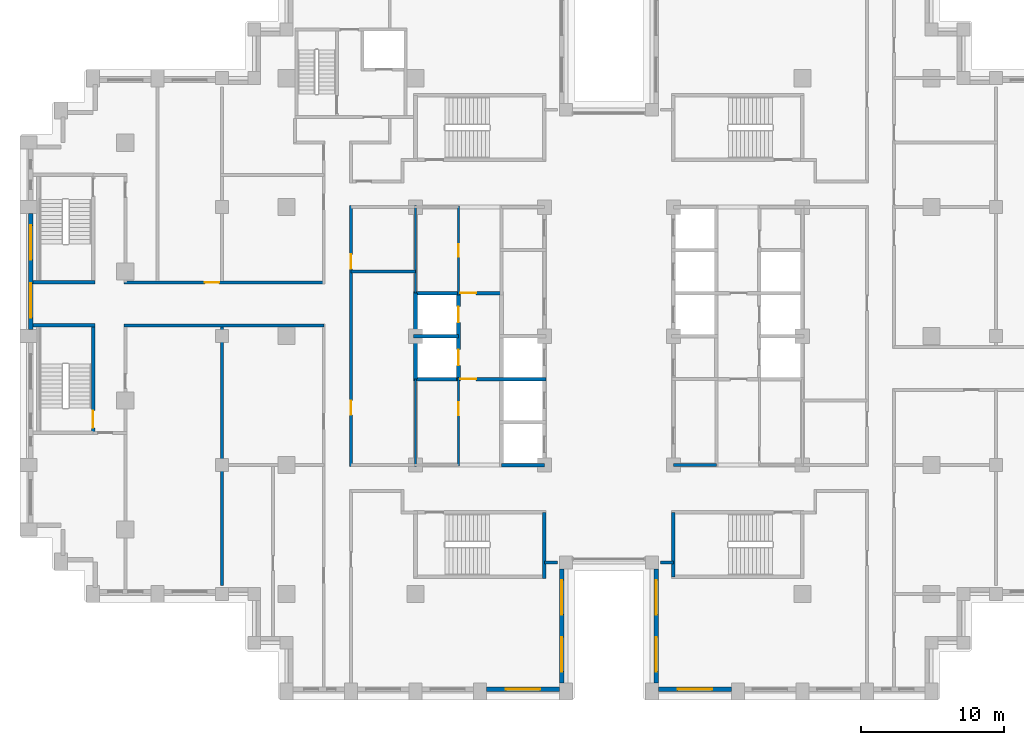
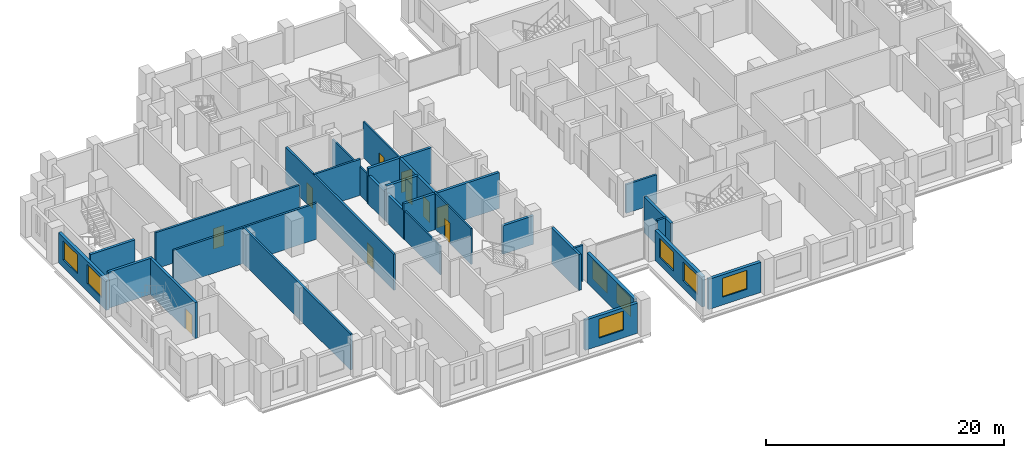
# One storey, part 7 of 15: 28 walls, 10 doors, 8 windows, 18 openings.
"""IFC4 building model written with IfcOpenShell, lengths in metres."""

from ifc_helpers import new_model, si_unit, direction, frame, frame_2d, origin, place, context, subcontext, project, spatial, rectangle, extrude, material, layer, layer_set, type_object, element, fill, save


model = new_model("IFC4")

# Units and contexts
model_context = context("Model", 3, precision=1e-05, world=origin(), true_north=direction((0.0, 1.0)))
body_context = subcontext(model_context, "Body", "Model", "MODEL_VIEW")
ifc_project = project(units=[si_unit("LENGTHUNIT", "METRE"), si_unit("AREAUNIT", "SQUARE_METRE"), si_unit("VOLUMEUNIT", "CUBIC_METRE"), si_unit("PLANEANGLEUNIT", "RADIAN"), si_unit("MASSUNIT", "GRAM", prefix="KILO")], contexts=[model_context])

# Site, building, storey
site_placement = place(None, origin())
site = spatial("IfcSite", under=ifc_project, at=site_placement, CompositionType="ELEMENT")
building_placement = place(site_placement, origin())
building = spatial("IfcBuilding", under=site, at=building_placement, Name="Corbelhall Arena Tower", CompositionType="ELEMENT")
storey_placement = place(building_placement, frame((0.0, 0.0, 96.0)))
storey = spatial("IfcBuildingStorey", under=building, at=storey_placement, Name="L16", CompositionType="ELEMENT", Elevation=96.0)

# Wall, openings, windows
ifc_material_1 = material(Name="Precast concrete C40/50 with granite facing", Category="masonry")
ifc_layer_1 = layer(ifc_material_1, 0.300048828125)
ifc_layer_set_1 = layer_set([ifc_layer_1], Name="EV-IW1 Infill panel 300")
wall_type_1 = type_object("IfcWallType", Name="EV-IW1 Infill panel 300", PredefinedType="SOLIDWALL", material=ifc_layer_set_1)
wall_1_placement = place(storey_placement, frame((-40.35009765625, 8.550048828125, 0.0), z_axis=(0.0, 0.0, 1.0), x_axis=(0.0, -1.0, 0.0)))
wall_1 = element("IfcWall", 1, at=wall_1_placement, inside=storey, type_object=wall_type_1, Name="Infill panel IW1", PredefinedType="SOLIDWALL", context=body_context, shape_type="SweptSolid", body=[
    extrude(rectangle(XDim=8.10009765625, YDim=0.300048828125, at=frame_2d((4.050048828125, 0.0))), origin(), (0.0, 0.0, 1.0), 3.10009765625),
])
opening_1_placement = place(wall_1_placement, frame((0.824951171875, 0.0, 0.800048828125)))
opening_1 = element("IfcOpeningElement", 2, at=opening_1_placement, cuts=wall_1, Name="Opening WN1", PredefinedType="OPENING", context=body_context, shape_type="SweptSolid", body=[
    extrude(rectangle(XDim=2.39990234375, YDim=1.949951171875, at=frame_2d((1.199951171875, 0.97509765625))), frame((0.0, 0.14990234375, 0.0), z_axis=(0.0, -1.0, 0.0), x_axis=(1.0, 0.0, 0.0)), (0.0, 0.0, 1.0), 0.300048828125),
])
opening_2_placement = place(wall_1_placement, frame((4.875, 0.0, 0.800048828125)))
opening_2 = element("IfcOpeningElement", 3, at=opening_2_placement, cuts=wall_1, Name="Opening WN1", PredefinedType="OPENING", context=body_context, shape_type="SweptSolid", body=[
    extrude(rectangle(XDim=2.39990234375, YDim=1.949951171875, at=frame_2d((1.199951171875, 0.97509765625))), frame((0.0, 0.14990234375, 0.0), z_axis=(0.0, -1.0, 0.0), x_axis=(1.0, 0.0, 0.0)), (0.0, 0.0, 1.0), 0.300048828125),
])
ifc_material_2 = material(Name="Aluminium black anodised", Category="aluminium")
window_type = type_object("IfcWindowType", Name="EV-WN1 Office window", PartitioningType="SINGLE_PANEL", PredefinedType="WINDOW", material=ifc_material_2)
window_1_placement = place(opening_1_placement, origin())
window_1 = element("IfcWindow", 4, at=window_1_placement, inside=storey, type_object=window_type, Name="Window WN1", OverallHeight=1.949951171875, OverallWidth=2.39990234375, PartitioningType="SINGLE_PANEL", PredefinedType="WINDOW", context=body_context, shape_type="SweptSolid", body=[
    extrude(rectangle(XDim=2.39990234375, YDim=1.949951171875, at=frame_2d((1.199951171875, 0.97509765625))), frame((0.0, 0.030029296875, 0.0), z_axis=(0.0, -1.0, 0.0), x_axis=(1.0, 0.0, 0.0)), (0.0, 0.0, 1.0), 0.06005859375),
])
fill(opening_1, window_1)
window_2_placement = place(opening_2_placement, origin())
window_2 = element("IfcWindow", 5, at=window_2_placement, inside=storey, type_object=window_type, Name="Window WN1", OverallHeight=1.949951171875, OverallWidth=2.39990234375, PartitioningType="SINGLE_PANEL", PredefinedType="WINDOW", context=body_context, shape_type="SweptSolid", body=[
    extrude(rectangle(XDim=2.39990234375, YDim=1.949951171875, at=frame_2d((1.199951171875, 0.97509765625))), frame((0.0, 0.030029296875, 0.0), z_axis=(0.0, -1.0, 0.0), x_axis=(1.0, 0.0, 0.0)), (0.0, 0.0, 1.0), 0.06005859375),
])
fill(opening_2, window_2)

# Wall, opening, window
wall_2_placement = place(storey_placement, frame((-8.550048828125, -24.64990234375, 0.0), z_axis=(0.0, 0.0, 1.0), x_axis=(1.0, 0.0, 0.0)))
wall_2 = element("IfcWall", 6, at=wall_2_placement, inside=storey, type_object=wall_type_1, Name="Infill panel IW1", PredefinedType="SOLIDWALL", context=body_context, shape_type="SweptSolid", body=[
    extrude(rectangle(XDim=5.10009765625, YDim=0.300048828125, at=frame_2d((2.550048828125, 0.0))), origin(), (0.0, 0.0, 1.0), 3.10009765625),
])
opening_3_placement = place(wall_2_placement, frame((1.35009765625, 0.0, 0.800048828125)))
opening_3 = element("IfcOpeningElement", 7, at=opening_3_placement, cuts=wall_2, Name="Opening WN1", PredefinedType="OPENING", context=body_context, shape_type="SweptSolid", body=[
    extrude(rectangle(XDim=2.39990234375, YDim=1.949951171875, at=frame_2d((1.199951171875, 0.97509765625))), frame((0.0, 0.14990234375, 0.0), z_axis=(0.0, -1.0, 0.0), x_axis=(1.0, 0.0, 0.0)), (0.0, 0.0, 1.0), 0.300048828125),
])
window_3_placement = place(opening_3_placement, origin())
window_3 = element("IfcWindow", 8, at=window_3_placement, inside=storey, type_object=window_type, Name="Window WN1", OverallHeight=1.949951171875, OverallWidth=2.39990234375, PartitioningType="SINGLE_PANEL", PredefinedType="WINDOW", context=body_context, shape_type="SweptSolid", body=[
    extrude(rectangle(XDim=2.39990234375, YDim=1.949951171875, at=frame_2d((1.199951171875, 0.97509765625))), frame((0.0, 0.030029296875, 0.0), z_axis=(0.0, -1.0, 0.0), x_axis=(1.0, 0.0, 0.0)), (0.0, 0.0, 1.0), 0.06005859375),
])
fill(opening_3, window_3)

# Wall, openings, windows
wall_3_placement = place(storey_placement, frame((-3.300048828125, -24.199951171875, 0.0), z_axis=(0.0, 0.0, 1.0), x_axis=(0.0, 1.0, 0.0)))
wall_3 = element("IfcWall", 9, at=wall_3_placement, inside=storey, type_object=wall_type_1, Name="Infill panel IW1", PredefinedType="SOLIDWALL", context=body_context, shape_type="SweptSolid", body=[
    extrude(rectangle(XDim=7.949951171875, YDim=0.300048828125, at=frame_2d((3.97509765625, 0.0))), origin(), (0.0, 0.0, 1.0), 3.10009765625),
])
opening_4_placement = place(wall_3_placement, frame((0.78759765625, 0.0, 0.800048828125)))
opening_4 = element("IfcOpeningElement", 10, at=opening_4_placement, cuts=wall_3, Name="Opening WN1", PredefinedType="OPENING", context=body_context, shape_type="SweptSolid", body=[
    extrude(rectangle(XDim=2.39990234375, YDim=1.949951171875, at=frame_2d((1.199951171875, 0.97509765625))), frame((0.0, 0.14990234375, 0.0), z_axis=(0.0, -1.0, 0.0), x_axis=(1.0, 0.0, 0.0)), (0.0, 0.0, 1.0), 0.300048828125),
])
opening_5_placement = place(wall_3_placement, frame((4.762451171875, 0.0, 0.800048828125)))
opening_5 = element("IfcOpeningElement", 11, at=opening_5_placement, cuts=wall_3, Name="Opening WN1", PredefinedType="OPENING", context=body_context, shape_type="SweptSolid", body=[
    extrude(rectangle(XDim=2.39990234375, YDim=1.949951171875, at=frame_2d((1.199951171875, 0.97509765625))), frame((0.0, 0.14990234375, 0.0), z_axis=(0.0, -1.0, 0.0), x_axis=(1.0, 0.0, 0.0)), (0.0, 0.0, 1.0), 0.300048828125),
])
window_4_placement = place(opening_4_placement, origin())
window_4 = element("IfcWindow", 12, at=window_4_placement, inside=storey, type_object=window_type, Name="Window WN1", OverallHeight=1.949951171875, OverallWidth=2.39990234375, PartitioningType="SINGLE_PANEL", PredefinedType="WINDOW", context=body_context, shape_type="SweptSolid", body=[
    extrude(rectangle(XDim=2.39990234375, YDim=1.949951171875, at=frame_2d((1.199951171875, 0.97509765625))), frame((0.0, 0.030029296875, 0.0), z_axis=(0.0, -1.0, 0.0), x_axis=(1.0, 0.0, 0.0)), (0.0, 0.0, 1.0), 0.06005859375),
])
fill(opening_4, window_4)
window_5_placement = place(opening_5_placement, origin())
window_5 = element("IfcWindow", 13, at=window_5_placement, inside=storey, type_object=window_type, Name="Window WN1", OverallHeight=1.949951171875, OverallWidth=2.39990234375, PartitioningType="SINGLE_PANEL", PredefinedType="WINDOW", context=body_context, shape_type="SweptSolid", body=[
    extrude(rectangle(XDim=2.39990234375, YDim=1.949951171875, at=frame_2d((1.199951171875, 0.97509765625))), frame((0.0, 0.030029296875, 0.0), z_axis=(0.0, -1.0, 0.0), x_axis=(1.0, 0.0, 0.0)), (0.0, 0.0, 1.0), 0.06005859375),
])
fill(opening_5, window_5)

wall_4_placement = place(storey_placement, frame((3.300048828125, -16.25, 0.0), z_axis=(0.0, 0.0, 1.0), x_axis=(0.0, -1.0, 0.0)))
wall_4 = element("IfcWall", 14, at=wall_4_placement, inside=storey, type_object=wall_type_1, Name="Infill panel IW1", PredefinedType="SOLIDWALL", context=body_context, shape_type="SweptSolid", body=[
    extrude(rectangle(XDim=7.949951171875, YDim=0.300048828125, at=frame_2d((3.97509765625, 0.0))), origin(), (0.0, 0.0, 1.0), 3.10009765625),
])
opening_6_placement = place(wall_4_placement, frame((0.78759765625, 0.0, 0.800048828125)))
opening_6 = element("IfcOpeningElement", 15, at=opening_6_placement, cuts=wall_4, Name="Opening WN1", PredefinedType="OPENING", context=body_context, shape_type="SweptSolid", body=[
    extrude(rectangle(XDim=2.39990234375, YDim=1.949951171875, at=frame_2d((1.199951171875, 0.97509765625))), frame((0.0, 0.14990234375, 0.0), z_axis=(0.0, -1.0, 0.0), x_axis=(1.0, 0.0, 0.0)), (0.0, 0.0, 1.0), 0.300048828125),
])
opening_7_placement = place(wall_4_placement, frame((4.762451171875, 0.0, 0.800048828125)))
opening_7 = element("IfcOpeningElement", 16, at=opening_7_placement, cuts=wall_4, Name="Opening WN1", PredefinedType="OPENING", context=body_context, shape_type="SweptSolid", body=[
    extrude(rectangle(XDim=2.39990234375, YDim=1.949951171875, at=frame_2d((1.199951171875, 0.97509765625))), frame((0.0, 0.14990234375, 0.0), z_axis=(0.0, -1.0, 0.0), x_axis=(1.0, 0.0, 0.0)), (0.0, 0.0, 1.0), 0.300048828125),
])
window_6_placement = place(opening_6_placement, origin())
window_6 = element("IfcWindow", 17, at=window_6_placement, inside=storey, type_object=window_type, Name="Window WN1", OverallHeight=1.949951171875, OverallWidth=2.39990234375, PartitioningType="SINGLE_PANEL", PredefinedType="WINDOW", context=body_context, shape_type="SweptSolid", body=[
    extrude(rectangle(XDim=2.39990234375, YDim=1.949951171875, at=frame_2d((1.199951171875, 0.97509765625))), frame((0.0, 0.030029296875, 0.0), z_axis=(0.0, -1.0, 0.0), x_axis=(1.0, 0.0, 0.0)), (0.0, 0.0, 1.0), 0.06005859375),
])
fill(opening_6, window_6)
window_7_placement = place(opening_7_placement, origin())
window_7 = element("IfcWindow", 18, at=window_7_placement, inside=storey, type_object=window_type, Name="Window WN1", OverallHeight=1.949951171875, OverallWidth=2.39990234375, PartitioningType="SINGLE_PANEL", PredefinedType="WINDOW", context=body_context, shape_type="SweptSolid", body=[
    extrude(rectangle(XDim=2.39990234375, YDim=1.949951171875, at=frame_2d((1.199951171875, 0.97509765625))), frame((0.0, 0.030029296875, 0.0), z_axis=(0.0, -1.0, 0.0), x_axis=(1.0, 0.0, 0.0)), (0.0, 0.0, 1.0), 0.06005859375),
])
fill(opening_7, window_7)

# Wall, opening, window
wall_5_placement = place(storey_placement, frame((3.449951171875, -24.64990234375, 0.0), z_axis=(0.0, 0.0, 1.0), x_axis=(1.0, 0.0, 0.0)))
wall_5 = element("IfcWall", 19, at=wall_5_placement, inside=storey, type_object=wall_type_1, Name="Infill panel IW1", PredefinedType="SOLIDWALL", context=body_context, shape_type="SweptSolid", body=[
    extrude(rectangle(XDim=5.10009765625, YDim=0.300048828125, at=frame_2d((2.550048828125, 0.0))), origin(), (0.0, 0.0, 1.0), 3.10009765625),
])
opening_8_placement = place(wall_5_placement, frame((1.35009765625, 0.0, 0.800048828125)))
opening_8 = element("IfcOpeningElement", 20, at=opening_8_placement, cuts=wall_5, Name="Opening WN1", PredefinedType="OPENING", context=body_context, shape_type="SweptSolid", body=[
    extrude(rectangle(XDim=2.39990234375, YDim=1.949951171875, at=frame_2d((1.199951171875, 0.97509765625))), frame((0.0, 0.14990234375, 0.0), z_axis=(0.0, -1.0, 0.0), x_axis=(1.0, 0.0, 0.0)), (0.0, 0.0, 1.0), 0.300048828125),
])
window_8_placement = place(opening_8_placement, origin())
window_8 = element("IfcWindow", 21, at=window_8_placement, inside=storey, type_object=window_type, Name="Window WN1", OverallHeight=1.949951171875, OverallWidth=2.39990234375, PartitioningType="SINGLE_PANEL", PredefinedType="WINDOW", context=body_context, shape_type="SweptSolid", body=[
    extrude(rectangle(XDim=2.39990234375, YDim=1.949951171875, at=frame_2d((1.199951171875, 0.97509765625))), frame((0.0, 0.030029296875, 0.0), z_axis=(0.0, -1.0, 0.0), x_axis=(1.0, 0.0, 0.0)), (0.0, 0.0, 1.0), 0.06005859375),
])
fill(opening_8, window_8)

# Wall, opening, door
ifc_material_3 = material(Name="Gypsum board on steel stud, acoustic", Category="steel")
ifc_layer_2 = layer(ifc_material_3, 0.199951171875)
ifc_layer_set_2 = layer_set([ifc_layer_2], Name="IN-W-DM200")
wall_type_2 = type_object("IfcWallType", Name="IN-W-DM200", PredefinedType="PARTITIONING", material=ifc_layer_set_2)
wall_6_placement = place(storey_placement, frame((-33.85009765625, 3.75, 0.0), z_axis=(0.0, 0.0, 1.0), x_axis=(1.0, 0.0, 0.0)))
wall_6 = element("IfcWall", 22, at=wall_6_placement, inside=storey, type_object=wall_type_2, Name="Partition 002", PredefinedType="PARTITIONING", context=body_context, shape_type="SweptSolid", body=[
    extrude(rectangle(XDim=13.9501953125, YDim=0.199951171875, at=frame_2d((6.97509765625, 0.0))), origin(), (0.0, 0.0, 1.0), 3.699951171875),
])
opening_9_placement = place(wall_6_placement, frame((5.64990234375, 0.0, 0.0)))
opening_9 = element("IfcOpeningElement", 23, at=opening_9_placement, cuts=wall_6, Name="Opening 03042", PredefinedType="OPENING", context=body_context, shape_type="SweptSolid", body=[
    extrude(rectangle(XDim=1.0, YDim=2.10009765625, at=frame_2d((0.5, 1.050048828125))), frame((0.0, 0.10009765625, 0.0), z_axis=(0.0, -1.0, 0.0), x_axis=(1.0, 0.0, 0.0)), (0.0, 0.0, 1.0), 0.199951171875),
])
ifc_material_4 = material(Name="Steel door set", Category="steel")
door_type_1 = type_object("IfcDoorType", Name="IN-D-SW100", OperationType="NOTDEFINED", PredefinedType="DOOR", material=ifc_material_4)
door_1_placement = place(opening_9_placement, origin())
door_1 = element("IfcDoor", 24, at=door_1_placement, inside=storey, type_object=door_type_1, Name="Door 042", OperationType="SINGLE_SWING_LEFT", OverallHeight=2.10009765625, OverallWidth=1.0, PredefinedType="DOOR", context=body_context, shape_type="SweptSolid", body=[
    extrude(rectangle(XDim=1.0, YDim=2.10009765625, at=frame_2d((0.5, 1.050048828125))), frame((0.0, 0.02490234375, 0.0), z_axis=(0.0, -1.0, 0.0), x_axis=(1.0, 0.0, 0.0)), (0.0, 0.0, 1.0), 0.050048828125),
])
fill(opening_9, door_1)

# Walls
wall_7_placement = place(storey_placement, frame((-27.0, -17.39990234375, 0.0), z_axis=(0.0, 0.0, 1.0), x_axis=(0.0, 1.0, 0.0)))
element("IfcWall", 25, at=wall_7_placement, inside=storey, type_object=wall_type_2, Name="Partition 009", PredefinedType="PARTITIONING", context=body_context, shape_type="SweptSolid", body=[
    extrude(rectangle(XDim=18.14990234375, YDim=0.199951171875, at=frame_2d((9.074951171875, 0.0))), origin(), (0.0, 0.0, 1.0), 3.699951171875),
])
wall_8_placement = place(storey_placement, frame((-19.89990234375, 0.75, 0.0), z_axis=(0.0, 0.0, 1.0), x_axis=(-1.0, 0.0, 0.0)))
element("IfcWall", 26, at=wall_8_placement, inside=storey, type_object=wall_type_2, Name="Partition 011", PredefinedType="PARTITIONING", context=body_context, shape_type="SweptSolid", body=[
    extrude(rectangle(XDim=13.9501953125, YDim=0.199951171875, at=frame_2d((6.97509765625, 0.0))), origin(), (0.0, 0.0, 1.0), 3.699951171875),
])
wall_9_placement = place(storey_placement, frame((-18.0, 4.5, 0.0), z_axis=(0.0, 0.0, 1.0), x_axis=(1.0, 0.0, 0.0)))
element("IfcWall", 27, at=wall_9_placement, inside=storey, type_object=wall_type_2, Name="Partition 019", PredefinedType="PARTITIONING", context=body_context, shape_type="SweptSolid", body=[
    extrude(rectangle(XDim=4.5, YDim=0.199951171875, at=frame_2d((2.25, 0.0))), origin(), (0.0, 0.0, 1.0), 3.699951171875),
])

# Wall, openings, doors
wall_10_placement = place(storey_placement, frame((-18.0, 9.10009765625, 0.0), z_axis=(0.0, 0.0, 1.0), x_axis=(0.0, -1.0, 0.0)))
wall_10 = element("IfcWall", 28, at=wall_10_placement, inside=storey, type_object=wall_type_2, Name="Partition 020", PredefinedType="PARTITIONING", context=body_context, shape_type="SweptSolid", body=[
    extrude(rectangle(XDim=18.2001953125, YDim=0.199951171875, at=frame_2d((9.10009765625, 0.0))), origin(), (0.0, 0.0, 1.0), 3.699951171875),
])
opening_10_placement = place(wall_10_placement, frame((13.60009765625, 0.0, 0.0)))
opening_10 = element("IfcOpeningElement", 29, at=opening_10_placement, cuts=wall_10, Name="Opening 03021", PredefinedType="OPENING", context=body_context, shape_type="SweptSolid", body=[
    extrude(rectangle(XDim=1.0, YDim=2.10009765625, at=frame_2d((0.5, 1.050048828125))), frame((0.0, 0.10009765625, 0.0), z_axis=(0.0, -1.0, 0.0), x_axis=(1.0, 0.0, 0.0)), (0.0, 0.0, 1.0), 0.199951171875),
])
opening_11_placement = place(wall_10_placement, frame((3.39990234375, 0.0, 0.0)))
opening_11 = element("IfcOpeningElement", 30, at=opening_11_placement, cuts=wall_10, Name="Opening 03022", PredefinedType="OPENING", context=body_context, shape_type="SweptSolid", body=[
    extrude(rectangle(XDim=1.0, YDim=2.10009765625, at=frame_2d((0.5, 1.050048828125))), frame((0.0, 0.10009765625, 0.0), z_axis=(0.0, -1.0, 0.0), x_axis=(1.0, 0.0, 0.0)), (0.0, 0.0, 1.0), 0.199951171875),
])
door_2_placement = place(opening_10_placement, origin())
door_2 = element("IfcDoor", 31, at=door_2_placement, inside=storey, type_object=door_type_1, Name="Door 021", OperationType="SINGLE_SWING_RIGHT", OverallHeight=2.10009765625, OverallWidth=1.0, PredefinedType="DOOR", context=body_context, shape_type="SweptSolid", body=[
    extrude(rectangle(XDim=1.0, YDim=2.10009765625, at=frame_2d((0.5, 1.050048828125))), frame((0.0, 0.02490234375, 0.0), z_axis=(0.0, -1.0, 0.0), x_axis=(1.0, 0.0, 0.0)), (0.0, 0.0, 1.0), 0.050048828125),
])
fill(opening_10, door_2)
door_3_placement = place(opening_11_placement, origin())
door_3 = element("IfcDoor", 32, at=door_3_placement, inside=storey, type_object=door_type_1, Name="Door 022", OperationType="SINGLE_SWING_LEFT", OverallHeight=2.10009765625, OverallWidth=1.0, PredefinedType="DOOR", context=body_context, shape_type="SweptSolid", body=[
    extrude(rectangle(XDim=1.0, YDim=2.10009765625, at=frame_2d((0.5, 1.050048828125))), frame((0.0, 0.02490234375, 0.0), z_axis=(0.0, -1.0, 0.0), x_axis=(1.0, 0.0, 0.0)), (0.0, 0.0, 1.0), 0.050048828125),
])
fill(opening_11, door_3)

# Walls
for number, where, z_axis, x_axis, name in (
    (33, (-3.60009765625, -15.800048828125, 0.0), (0.0, 0.0, 1.0), (-1.0, 0.0, 0.0), "Partition 033"),
    (34, (4.5, -15.800048828125, 0.0), (0.0, 0.0, 1.0), (-1.0, 0.0, 0.0), "Partition 035"),
):
    element("IfcWall", number, at=place(storey_placement, frame(where, z_axis=z_axis, x_axis=x_axis)), inside=storey, type_object=wall_type_2, Name=name, PredefinedType="PARTITIONING", context=body_context, shape_type="SweptSolid", body=[
        extrude(rectangle(XDim=0.89990234375, YDim=0.199951171875, at=frame_2d((0.449951171875, 0.0))), origin(), (0.0, 0.0, 1.0), 3.699951171875),
    ])
ifc_material_5 = material(Name="Concrete block wall", Category="concrete")
ifc_layer_3 = layer(ifc_material_5, 0.199951171875)
ifc_layer_set_3 = layer_set([ifc_layer_3], Name="IN-W-RS200 under beam 762 mm")
wall_type_3 = type_object("IfcWallType", Name="IN-W-RS200 under beam 762 mm", PredefinedType="SOLIDWALL", material=ifc_layer_set_3)
wall_11_placement = place(storey_placement, frame((7.5, -9.0, 0.0), z_axis=(0.0, 0.0, 1.0), x_axis=(-1.0, 0.0, 0.0)))
element("IfcWall", 35, at=wall_11_placement, inside=storey, type_object=wall_type_3, Name="Partition 069", PredefinedType="SOLIDWALL", context=body_context, shape_type="SweptSolid", body=[
    extrude(rectangle(XDim=3.0, YDim=0.199951171875, at=frame_2d((1.5, 0.0))), origin(), (0.0, 0.0, 1.0), 2.93798828125),
])
ifc_material_6 = material(Name="Concrete C40/50", Category="concrete")
ifc_layer_4 = layer(ifc_material_6, 0.25)
ifc_layer_set_4 = layer_set([ifc_layer_4], Name="IN-W-SH250")
wall_type_4 = type_object("IfcWallType", Name="IN-W-SH250", PredefinedType="SOLIDWALL", material=ifc_layer_set_4)
wall_12_placement = place(storey_placement, frame((-13.625, 0.0, 0.0), z_axis=(0.0, 0.0, 1.0), x_axis=(1.0, 0.0, 0.0)))
element("IfcWall", 36, at=wall_12_placement, inside=storey, type_object=wall_type_4, Name="Shaft wall 074", PredefinedType="SOLIDWALL", context=body_context, shape_type="SweptSolid", body=[
    extrude(rectangle(XDim=3.125, YDim=0.25, at=frame_2d((1.5625, 0.0))), origin(), (0.0, 0.0, 1.0), 3.699951171875),
])

# Wall, opening, door
wall_13_placement = place(storey_placement, frame((-13.625, 3.0, 0.0), z_axis=(0.0, 0.0, 1.0), x_axis=(1.0, 0.0, 0.0)))
wall_13 = element("IfcWall", 37, at=wall_13_placement, inside=storey, type_object=wall_type_4, Name="Shaft wall 075", PredefinedType="SOLIDWALL", context=body_context, shape_type="SweptSolid", body=[
    extrude(rectangle(XDim=6.125, YDim=0.25, at=frame_2d((3.0625, 0.0))), origin(), (0.0, 0.0, 1.0), 3.699951171875),
])
opening_12_placement = place(wall_13_placement, frame((3.25, 0.0, 0.0)))
opening_12 = element("IfcOpeningElement", 38, at=opening_12_placement, cuts=wall_13, Name="Opening 03004", PredefinedType="OPENING", context=body_context, shape_type="SweptSolid", body=[
    extrude(rectangle(XDim=1.10009765625, YDim=2.10009765625, at=frame_2d((0.550048828125, 1.050048828125))), frame((0.0, 0.125, 0.0), z_axis=(0.0, -1.0, 0.0), x_axis=(1.0, 0.0, 0.0)), (0.0, 0.0, 1.0), 0.25),
])
door_type_2 = type_object("IfcDoorType", Name="IN-D-FD110", OperationType="NOTDEFINED", PredefinedType="DOOR", material=ifc_material_4)
door_4_placement = place(opening_12_placement, origin())
door_4 = element("IfcDoor", 39, at=door_4_placement, inside=storey, type_object=door_type_2, Name="Door 004", OperationType="SINGLE_SWING_LEFT", OverallHeight=2.10009765625, OverallWidth=1.10009765625, PredefinedType="DOOR", context=body_context, shape_type="SweptSolid", body=[
    extrude(rectangle(XDim=1.10009765625, YDim=2.10009765625, at=frame_2d((0.550048828125, 1.050048828125))), frame((0.0, 0.02490234375, 0.0), z_axis=(0.0, -1.0, 0.0), x_axis=(1.0, 0.0, 0.0)), (0.0, 0.0, 1.0), 0.050048828125),
])
fill(opening_12, door_4)

wall_14_placement = place(storey_placement, frame((-13.625, -3.0, 0.0), z_axis=(0.0, 0.0, 1.0), x_axis=(1.0, 0.0, 0.0)))
wall_14 = element("IfcWall", 40, at=wall_14_placement, inside=storey, type_object=wall_type_4, Name="Shaft wall 077", PredefinedType="SOLIDWALL", context=body_context, shape_type="SweptSolid", body=[
    extrude(rectangle(XDim=9.25, YDim=0.25, at=frame_2d((4.625, 0.0))), origin(), (0.0, 0.0, 1.0), 3.699951171875),
])
opening_13_placement = place(wall_14_placement, frame((3.25, 0.0, 0.0)))
opening_13 = element("IfcOpeningElement", 41, at=opening_13_placement, cuts=wall_14, Name="Opening 03003", PredefinedType="OPENING", context=body_context, shape_type="SweptSolid", body=[
    extrude(rectangle(XDim=1.10009765625, YDim=2.10009765625, at=frame_2d((0.550048828125, 1.050048828125))), frame((0.0, 0.125, 0.0), z_axis=(0.0, -1.0, 0.0), x_axis=(1.0, 0.0, 0.0)), (0.0, 0.0, 1.0), 0.25),
])
door_5_placement = place(opening_13_placement, origin())
door_5 = element("IfcDoor", 42, at=door_5_placement, inside=storey, type_object=door_type_2, Name="Door 003", OperationType="SINGLE_SWING_RIGHT", OverallHeight=2.10009765625, OverallWidth=1.10009765625, PredefinedType="DOOR", context=body_context, shape_type="SweptSolid", body=[
    extrude(rectangle(XDim=1.10009765625, YDim=2.10009765625, at=frame_2d((0.550048828125, 1.050048828125))), frame((0.0, 0.02490234375, 0.0), z_axis=(0.0, -1.0, 0.0), x_axis=(1.0, 0.0, 0.0)), (0.0, 0.0, 1.0), 0.050048828125),
])
fill(opening_13, door_5)

# Wall, openings, doors
wall_15_placement = place(storey_placement, frame((-10.5, -3.125, 0.0), z_axis=(0.0, 0.0, 1.0), x_axis=(0.0, 1.0, 0.0)))
wall_15 = element("IfcWall", 43, at=wall_15_placement, inside=storey, type_object=wall_type_4, Name="Shaft wall 078", PredefinedType="SOLIDWALL", context=body_context, shape_type="SweptSolid", body=[
    extrude(rectangle(XDim=6.25, YDim=0.25, at=frame_2d((3.125, 0.0))), origin(), (0.0, 0.0, 1.0), 3.699951171875),
])
opening_14_placement = place(wall_15_placement, frame((1.074951171875, 0.0, 0.0)))
opening_14 = element("IfcOpeningElement", 44, at=opening_14_placement, cuts=wall_15, Name="Opening LD", PredefinedType="OPENING", context=body_context, shape_type="SweptSolid", body=[
    extrude(rectangle(XDim=1.10009765625, YDim=2.10009765625, at=frame_2d((0.550048828125, 1.050048828125))), frame((0.0, 0.125, 0.0), z_axis=(0.0, -1.0, 0.0), x_axis=(1.0, 0.0, 0.0)), (0.0, 0.0, 1.0), 0.25),
])
opening_15_placement = place(wall_15_placement, frame((4.074951171875, 0.0, 0.0)))
opening_15 = element("IfcOpeningElement", 45, at=opening_15_placement, cuts=wall_15, Name="Opening LD", PredefinedType="OPENING", context=body_context, shape_type="SweptSolid", body=[
    extrude(rectangle(XDim=1.10009765625, YDim=2.10009765625, at=frame_2d((0.550048828125, 1.050048828125))), frame((0.0, 0.125, 0.0), z_axis=(0.0, -1.0, 0.0), x_axis=(1.0, 0.0, 0.0)), (0.0, 0.0, 1.0), 0.25),
])
door_type_3 = type_object("IfcDoorType", Name="IN-D-LD110", OperationType="NOTDEFINED", PredefinedType="DOOR", material=ifc_material_4)
door_6_placement = place(opening_14_placement, origin())
door_6 = element("IfcDoor", 46, at=door_6_placement, inside=storey, type_object=door_type_3, Name="Landing door W3", OperationType="SLIDING_TO_LEFT", OverallHeight=2.10009765625, OverallWidth=1.10009765625, PredefinedType="DOOR", context=body_context, shape_type="SweptSolid", body=[
    extrude(rectangle(XDim=1.10009765625, YDim=2.10009765625, at=frame_2d((0.550048828125, 1.050048828125))), frame((0.0, 0.02490234375, 0.0), z_axis=(0.0, -1.0, 0.0), x_axis=(1.0, 0.0, 0.0)), (0.0, 0.0, 1.0), 0.050048828125),
])
fill(opening_14, door_6)
door_7_placement = place(opening_15_placement, origin())
door_7 = element("IfcDoor", 47, at=door_7_placement, inside=storey, type_object=door_type_3, Name="Landing door W4", OperationType="SLIDING_TO_LEFT", OverallHeight=2.10009765625, OverallWidth=1.10009765625, PredefinedType="DOOR", context=body_context, shape_type="SweptSolid", body=[
    extrude(rectangle(XDim=1.10009765625, YDim=2.10009765625, at=frame_2d((0.550048828125, 1.050048828125))), frame((0.0, 0.02490234375, 0.0), z_axis=(0.0, -1.0, 0.0), x_axis=(1.0, 0.0, 0.0)), (0.0, 0.0, 1.0), 0.050048828125),
])
fill(opening_15, door_7)

# Walls
ifc_layer_5 = layer(ifc_material_6, 0.25)
ifc_layer_set_5 = layer_set([ifc_layer_5], Name="IN-W-SH250 under beam 762 mm")
wall_type_5 = type_object("IfcWallType", Name="IN-W-SH250 under beam 762 mm", PredefinedType="SOLIDWALL", material=ifc_layer_set_5)
wall_16_placement = place(storey_placement, frame((-13.5, -3.0, 0.0), z_axis=(0.0, 0.0, 1.0), x_axis=(0.0, 1.0, 0.0)))
element("IfcWall", 48, at=wall_16_placement, inside=storey, type_object=wall_type_5, Name="Shaft wall 076", PredefinedType="SOLIDWALL", context=body_context, shape_type="SweptSolid", body=[
    extrude(rectangle(XDim=6.0, YDim=0.25, at=frame_2d((3.0, 0.0))), origin(), (0.0, 0.0, 1.0), 2.93798828125),
])
wall_17_placement = place(storey_placement, frame((-4.5, -9.0, 0.0), z_axis=(0.0, 0.0, 1.0), x_axis=(-1.0, 0.0, 0.0)))
element("IfcWall", 49, at=wall_17_placement, inside=storey, type_object=wall_type_5, Name="Shaft wall 082", PredefinedType="SOLIDWALL", context=body_context, shape_type="SweptSolid", body=[
    extrude(rectangle(XDim=3.0, YDim=0.25, at=frame_2d((1.5, 0.0))), origin(), (0.0, 0.0, 1.0), 2.93798828125),
])
ifc_layer_6 = layer(ifc_material_6, 0.25)
ifc_layer_set_6 = layer_set([ifc_layer_6], Name="IN-W-ST250")
wall_type_6 = type_object("IfcWallType", Name="IN-W-ST250", PredefinedType="SOLIDWALL", material=ifc_layer_set_6)
wall_18_placement = place(storey_placement, frame((-40.199951171875, 3.75, 0.0), z_axis=(0.0, 0.0, 1.0), x_axis=(1.0, 0.0, 0.0)))
element("IfcWall", 50, at=wall_18_placement, inside=storey, type_object=wall_type_6, Name="Shaft wall 095", PredefinedType="SOLIDWALL", context=body_context, shape_type="SweptSolid", body=[
    extrude(rectangle(XDim=4.324951171875, YDim=0.25, at=frame_2d((2.16259765625, 0.0))), origin(), (0.0, 0.0, 1.0), 3.699951171875),
])

# Wall, opening, door
wall_19_placement = place(storey_placement, frame((-36.0, 0.75, 0.0), z_axis=(0.0, 0.0, 1.0), x_axis=(0.0, -1.0, 0.0)))
wall_19 = element("IfcWall", 51, at=wall_19_placement, inside=storey, type_object=wall_type_6, Name="Shaft wall 098", PredefinedType="SOLIDWALL", context=body_context, shape_type="SweptSolid", body=[
    extrude(rectangle(XDim=7.625, YDim=0.25, at=frame_2d((3.8125, 0.0))), origin(), (0.0, 0.0, 1.0), 3.699951171875),
])
opening_16_placement = place(wall_19_placement, frame((5.949951171875, 0.0, 0.0)))
opening_16 = element("IfcOpeningElement", 52, at=opening_16_placement, cuts=wall_19, Name="Opening 03018", PredefinedType="OPENING", context=body_context, shape_type="SweptSolid", body=[
    extrude(rectangle(XDim=1.199951171875, YDim=2.10009765625, at=frame_2d((0.60009765625, 1.050048828125))), frame((0.0, 0.125, 0.0), z_axis=(0.0, -1.0, 0.0), x_axis=(1.0, 0.0, 0.0)), (0.0, 0.0, 1.0), 0.25),
])
door_type_4 = type_object("IfcDoorType", Name="IN-D-ST120", OperationType="NOTDEFINED", PredefinedType="DOOR", material=ifc_material_4)
door_8_placement = place(opening_16_placement, origin())
door_8 = element("IfcDoor", 53, at=door_8_placement, inside=storey, type_object=door_type_4, Name="Door 018", OperationType="SINGLE_SWING_LEFT", OverallHeight=2.10009765625, OverallWidth=1.199951171875, PredefinedType="DOOR", context=body_context, shape_type="SweptSolid", body=[
    extrude(rectangle(XDim=1.199951171875, YDim=2.10009765625, at=frame_2d((0.60009765625, 1.050048828125))), frame((0.0, 0.02490234375, 0.0), z_axis=(0.0, -1.0, 0.0), x_axis=(1.0, 0.0, 0.0)), (0.0, 0.0, 1.0), 0.050048828125),
])
fill(opening_16, door_8)

# Walls
wall_20_placement = place(storey_placement, frame((-35.875, 0.75, 0.0), z_axis=(0.0, 0.0, 1.0), x_axis=(-1.0, 0.0, 0.0)))
element("IfcWall", 54, at=wall_20_placement, inside=storey, type_object=wall_type_6, Name="Shaft wall 100", PredefinedType="SOLIDWALL", context=body_context, shape_type="SweptSolid", body=[
    extrude(rectangle(XDim=4.324951171875, YDim=0.25, at=frame_2d((2.16259765625, 0.0))), origin(), (0.0, 0.0, 1.0), 3.699951171875),
])
wall_21_placement = place(storey_placement, frame((-4.5, -12.300048828125, 0.0), z_axis=(0.0, 0.0, 1.0), x_axis=(0.0, -1.0, 0.0)))
element("IfcWall", 55, at=wall_21_placement, inside=storey, type_object=wall_type_6, Name="Shaft wall 106", PredefinedType="SOLIDWALL", context=body_context, shape_type="SweptSolid", body=[
    extrude(rectangle(XDim=4.625, YDim=0.25, at=frame_2d((2.3125, 0.0))), origin(), (0.0, 0.0, 1.0), 3.699951171875),
])
wall_22_placement = place(storey_placement, frame((4.5, -16.800048828125, 0.0), z_axis=(0.0, 0.0, 1.0), x_axis=(0.0, 1.0, 0.0)))
element("IfcWall", 56, at=wall_22_placement, inside=storey, type_object=wall_type_6, Name="Shaft wall 111", PredefinedType="SOLIDWALL", context=body_context, shape_type="SweptSolid", body=[
    extrude(rectangle(XDim=4.5, YDim=0.25, at=frame_2d((2.25, 0.0))), origin(), (0.0, 0.0, 1.0), 3.699951171875),
])

# Wall, opening, door
ifc_material_7 = material(Name="Gypsum board on steel stud, moisture resistant", Category="steel")
ifc_layer_7 = layer(ifc_material_7, 0.14990234375)
ifc_layer_set_7 = layer_set([ifc_layer_7], Name="IN-W-WC150")
wall_type_7 = type_object("IfcWallType", Name="IN-W-WC150", PredefinedType="PARTITIONING", material=ifc_layer_set_7)
wall_23_placement = place(storey_placement, frame((-10.5, -9.074951171875, 0.0), z_axis=(0.0, 0.0, 1.0), x_axis=(0.0, 1.0, 0.0)))
wall_23 = element("IfcWall", 57, at=wall_23_placement, inside=storey, type_object=wall_type_7, Name="Partition 126", PredefinedType="PARTITIONING", context=body_context, shape_type="SweptSolid", body=[
    extrude(rectangle(XDim=6.199951171875, YDim=0.14990234375, at=frame_2d((3.10009765625, 0.0))), origin(), (0.0, 0.0, 1.0), 3.699951171875),
])
opening_17_placement = place(wall_23_placement, frame((3.550048828125, 0.0, 0.0)))
opening_17 = element("IfcOpeningElement", 58, at=opening_17_placement, cuts=wall_23, Name="Opening 03005", PredefinedType="OPENING", context=body_context, shape_type="SweptSolid", body=[
    extrude(rectangle(XDim=0.89990234375, YDim=2.10009765625, at=frame_2d((0.449951171875, 1.050048828125))), frame((0.0, 0.074951171875, 0.0), z_axis=(0.0, -1.0, 0.0), x_axis=(1.0, 0.0, 0.0)), (0.0, 0.0, 1.0), 0.14990234375),
])
ifc_material_8 = material(Name="Timber door set", Category="wood")
door_type_5 = type_object("IfcDoorType", Name="IN-D-SW90", OperationType="NOTDEFINED", PredefinedType="DOOR", material=ifc_material_8)
door_9_placement = place(opening_17_placement, origin())
door_9 = element("IfcDoor", 59, at=door_9_placement, inside=storey, type_object=door_type_5, Name="Door 005", OperationType="SINGLE_SWING_RIGHT", OverallHeight=2.10009765625, OverallWidth=0.89990234375, PredefinedType="DOOR", context=body_context, shape_type="SweptSolid", body=[
    extrude(rectangle(XDim=0.89990234375, YDim=2.10009765625, at=frame_2d((0.449951171875, 1.050048828125))), frame((0.0, 0.02490234375, 0.0), z_axis=(0.0, -1.0, 0.0), x_axis=(1.0, 0.0, 0.0)), (0.0, 0.0, 1.0), 0.050048828125),
])
fill(opening_17, door_9)

wall_24_placement = place(storey_placement, frame((-10.5, 2.875, 0.0), z_axis=(0.0, 0.0, 1.0), x_axis=(0.0, 1.0, 0.0)))
wall_24 = element("IfcWall", 60, at=wall_24_placement, inside=storey, type_object=wall_type_7, Name="Partition 128", PredefinedType="PARTITIONING", context=body_context, shape_type="SweptSolid", body=[
    extrude(rectangle(XDim=6.199951171875, YDim=0.14990234375, at=frame_2d((3.10009765625, 0.0))), origin(), (0.0, 0.0, 1.0), 3.699951171875),
])
opening_18_placement = place(wall_24_placement, frame((2.64990234375, 0.0, 0.0)))
opening_18 = element("IfcOpeningElement", 61, at=opening_18_placement, cuts=wall_24, Name="Opening 03006", PredefinedType="OPENING", context=body_context, shape_type="SweptSolid", body=[
    extrude(rectangle(XDim=0.89990234375, YDim=2.10009765625, at=frame_2d((0.449951171875, 1.050048828125))), frame((0.0, 0.074951171875, 0.0), z_axis=(0.0, -1.0, 0.0), x_axis=(1.0, 0.0, 0.0)), (0.0, 0.0, 1.0), 0.14990234375),
])
door_10_placement = place(opening_18_placement, origin())
door_10 = element("IfcDoor", 62, at=door_10_placement, inside=storey, type_object=door_type_5, Name="Door 006", OperationType="SINGLE_SWING_LEFT", OverallHeight=2.10009765625, OverallWidth=0.89990234375, PredefinedType="DOOR", context=body_context, shape_type="SweptSolid", body=[
    extrude(rectangle(XDim=0.89990234375, YDim=2.10009765625, at=frame_2d((0.449951171875, 1.050048828125))), frame((0.0, 0.02490234375, 0.0), z_axis=(0.0, -1.0, 0.0), x_axis=(1.0, 0.0, 0.0)), (0.0, 0.0, 1.0), 0.050048828125),
])
fill(opening_18, door_10)

# Walls
ifc_layer_8 = layer(ifc_material_7, 0.14990234375)
ifc_layer_set_8 = layer_set([ifc_layer_8], Name="IN-W-WC150 under beam 762 mm")
wall_type_8 = type_object("IfcWallType", Name="IN-W-WC150 under beam 762 mm", PredefinedType="PARTITIONING", material=ifc_layer_set_8)
for number, where, z_axis, x_axis, name in (
    (63, (-13.5, -9.10009765625, 0.0), (0.0, 0.0, 1.0), (0.0, 1.0, 0.0), "Partition 124"),
    (64, (-13.5, 3.0, 0.0), (0.0, 0.0, 1.0), (0.0, 1.0, 0.0), "Partition 125"),
):
    element("IfcWall", number, at=place(storey_placement, frame(where, z_axis=z_axis, x_axis=x_axis)), inside=storey, type_object=wall_type_8, Name=name, PredefinedType="PARTITIONING", context=body_context, shape_type="SweptSolid", body=[
        extrude(rectangle(XDim=6.10009765625, YDim=0.14990234375, at=frame_2d((3.050048828125, 0.0))), origin(), (0.0, 0.0, 1.0), 2.93798828125),
    ])

save(model, "model.ifc")
